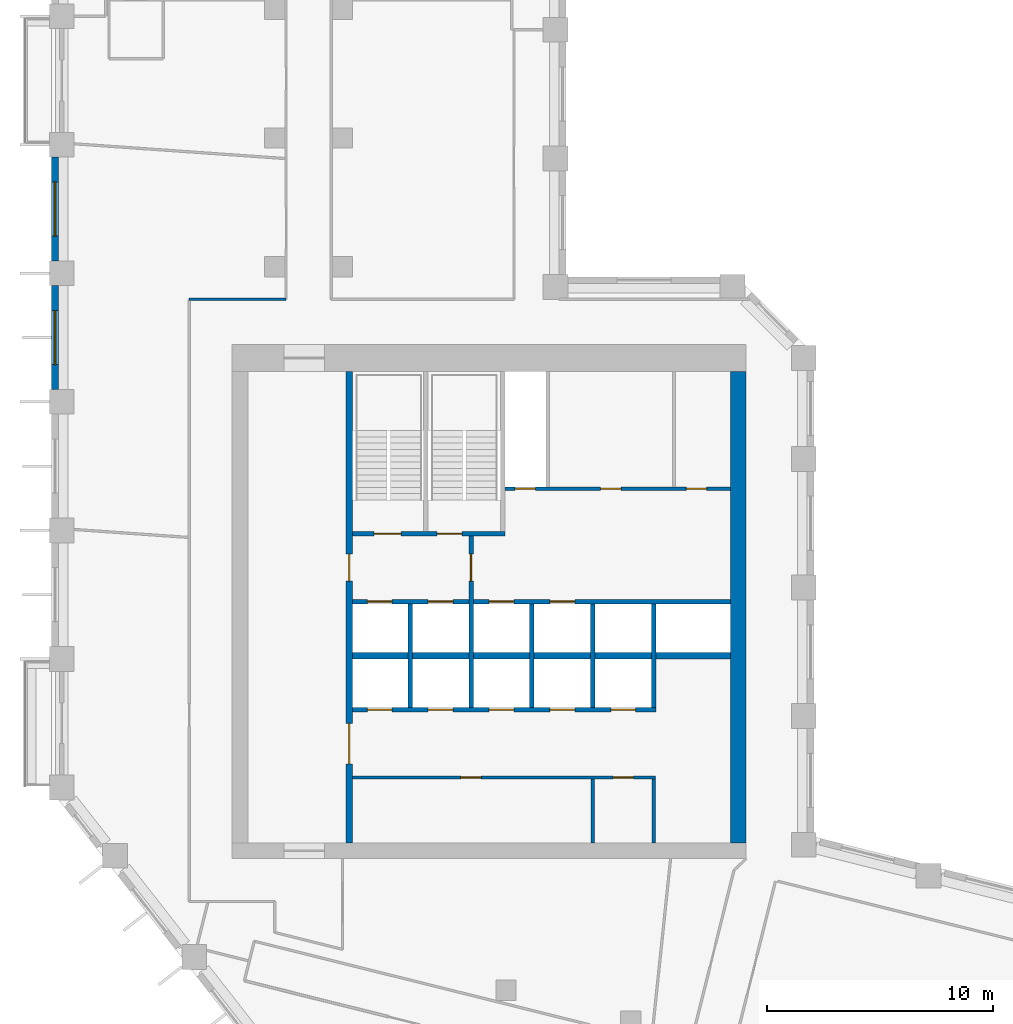
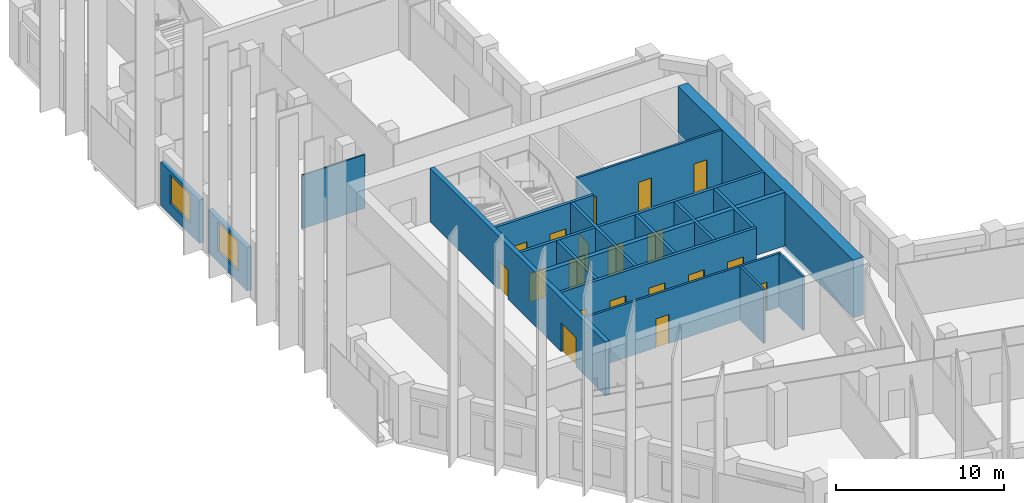
# One storey, part 5 of 10: 19 doors, 18 walls, 2 windows, 21 openings.
"""IFC4 building model written with IfcOpenShell, lengths in metres."""

from ifc_helpers import new_model, si_unit, direction, frame, frame_2d, origin, place, context, subcontext, project, spatial, rectangle, extrude, material, layer, layer_set, type_object, element, fill, save


model = new_model("IFC4")

# Units and contexts
model_context = context("Model", 3, precision=1e-05, world=origin(), true_north=direction((0.0, 1.0)))
body_context = subcontext(model_context, "Body", "Model", "MODEL_VIEW")
ifc_project = project(units=[si_unit("LENGTHUNIT", "METRE"), si_unit("AREAUNIT", "SQUARE_METRE"), si_unit("VOLUMEUNIT", "CUBIC_METRE"), si_unit("PLANEANGLEUNIT", "RADIAN"), si_unit("MASSUNIT", "GRAM", prefix="KILO")], contexts=[model_context])

# Site, building, storey
site_placement = place(None, origin())
site = spatial("IfcSite", under=ifc_project, at=site_placement, CompositionType="ELEMENT")
building_placement = place(site_placement, origin())
building = spatial("IfcBuilding", under=site, at=building_placement, Name="Meshkara Civic Tower", CompositionType="ELEMENT")
storey_placement = place(building_placement, frame((0.0, 0.0, 225.60009765625)))
storey = spatial("IfcBuildingStorey", under=building, at=storey_placement, Name="L51", CompositionType="ELEMENT", Elevation=225.60009765625)

# Wall, openings, doors
ifc_material_1 = material(Name="Blockwork", Category="masonry")
ifc_layer_1 = layer(ifc_material_1, 0.14990234375)
ifc_layer_set_1 = layer_set([ifc_layer_1], Name="Core partition 150")
wall_type_1 = type_object("IfcWallType", Name="Core partition 150", PredefinedType="PARTITIONING", material=ifc_layer_set_1)
wall_1_placement = place(storey_placement, frame((13.35009765625, 17.699951171875, 0.0), z_axis=(0.0, 0.0, 1.0), x_axis=(1.0, 0.0, 0.0)))
wall_1 = element("IfcWall", 1, at=wall_1_placement, inside=storey, type_object=wall_type_1, Name="L51-C005", PredefinedType="PARTITIONING", context=body_context, shape_type="SweptSolid", body=[
    extrude(rectangle(XDim=13.4248046875, YDim=0.14990234375, at=frame_2d((6.71240234375, 0.0))), origin(), (0.0, 0.0, 1.0), 3.89990234375),
])
opening_1_placement = place(wall_1_placement, frame((4.800048828125, 0.0, 0.0)))
opening_1 = element("IfcOpeningElement", 2, at=opening_1_placement, cuts=wall_1, Name="Opening L51-K010", PredefinedType="OPENING", context=body_context, shape_type="SweptSolid", body=[
    extrude(rectangle(XDim=0.89990234375, YDim=2.10009765625, at=frame_2d((0.449951171875, 1.050048828125))), frame((0.0, 0.0849609375, 0.0), z_axis=(0.0, -1.0, 0.0), x_axis=(1.0, 0.0, 0.0)), (0.0, 0.0, 1.0), 0.169921875),
])
opening_2_placement = place(wall_1_placement, frame((11.550048828125, 0.0, 0.0)))
opening_2 = element("IfcOpeningElement", 3, at=opening_2_placement, cuts=wall_1, Name="Opening L51-K011", PredefinedType="OPENING", context=body_context, shape_type="SweptSolid", body=[
    extrude(rectangle(XDim=0.89990234375, YDim=2.10009765625, at=frame_2d((0.449951171875, 1.050048828125))), frame((0.0, 0.0849609375, 0.0), z_axis=(0.0, -1.0, 0.0), x_axis=(1.0, 0.0, 0.0)), (0.0, 0.0, 1.0), 0.169921875),
])
ifc_material_2 = material(Name="Timber door leaf in steel frame", Category="steel")
door_type_1 = type_object("IfcDoorType", Name="Core room door 900", OperationType="SINGLE_SWING_LEFT", PredefinedType="DOOR", material=ifc_material_2)
door_1_placement = place(opening_1_placement, origin())
door_1 = element("IfcDoor", 4, at=door_1_placement, inside=storey, type_object=door_type_1, Name="L51-K010", OperationType="SINGLE_SWING_LEFT", OverallHeight=2.10009765625, OverallWidth=0.89990234375, PredefinedType="DOOR", context=body_context, shape_type="SweptSolid", body=[
    extrude(rectangle(XDim=0.89990234375, YDim=2.10009765625, at=frame_2d((0.449951171875, 1.050048828125))), frame((0.0, 0.02490234375, 0.0), z_axis=(0.0, -1.0, 0.0), x_axis=(1.0, 0.0, 0.0)), (0.0, 0.0, 1.0), 0.050048828125),
])
fill(opening_1, door_1)
door_2_placement = place(opening_2_placement, origin())
door_2 = element("IfcDoor", 5, at=door_2_placement, inside=storey, type_object=door_type_1, Name="L51-K011", OperationType="SINGLE_SWING_LEFT", OverallHeight=2.10009765625, OverallWidth=0.89990234375, PredefinedType="DOOR", context=body_context, shape_type="SweptSolid", body=[
    extrude(rectangle(XDim=0.89990234375, YDim=2.10009765625, at=frame_2d((0.449951171875, 1.050048828125))), frame((0.0, 0.02490234375, 0.0), z_axis=(0.0, -1.0, 0.0), x_axis=(1.0, 0.0, 0.0)), (0.0, 0.0, 1.0), 0.050048828125),
])
fill(opening_2, door_2)

wall_2_placement = place(storey_placement, frame((20.10009765625, 30.5, 0.0), z_axis=(0.0, 0.0, 1.0), x_axis=(1.0, 0.0, 0.0)))
wall_2 = element("IfcWall", 6, at=wall_2_placement, inside=storey, type_object=wall_type_1, Name="L51-C010", PredefinedType="PARTITIONING", context=body_context, shape_type="SweptSolid", body=[
    extrude(rectangle(XDim=10.0, YDim=0.14990234375, at=frame_2d((5.0, 0.0))), origin(), (0.0, 0.0, 1.0), 3.89990234375),
])
opening_3_placement = place(wall_2_placement, frame((0.449951171875, 0.0, 0.0)))
opening_3 = element("IfcOpeningElement", 7, at=opening_3_placement, cuts=wall_2, Name="Opening L51-K012", PredefinedType="OPENING", context=body_context, shape_type="SweptSolid", body=[
    extrude(rectangle(XDim=0.89990234375, YDim=2.10009765625, at=frame_2d((0.449951171875, 1.050048828125))), frame((0.0, 0.0849609375, 0.0), z_axis=(0.0, -1.0, 0.0), x_axis=(1.0, 0.0, 0.0)), (0.0, 0.0, 1.0), 0.169921875),
])
opening_4_placement = place(wall_2_placement, frame((4.25, 0.0, 0.0)))
opening_4 = element("IfcOpeningElement", 8, at=opening_4_placement, cuts=wall_2, Name="Opening L51-K013", PredefinedType="OPENING", context=body_context, shape_type="SweptSolid", body=[
    extrude(rectangle(XDim=0.89990234375, YDim=2.10009765625, at=frame_2d((0.449951171875, 1.050048828125))), frame((0.0, 0.0849609375, 0.0), z_axis=(0.0, -1.0, 0.0), x_axis=(1.0, 0.0, 0.0)), (0.0, 0.0, 1.0), 0.169921875),
])
opening_5_placement = place(wall_2_placement, frame((8.050048828125, 0.0, 0.0)))
opening_5 = element("IfcOpeningElement", 9, at=opening_5_placement, cuts=wall_2, Name="Opening L51-K014", PredefinedType="OPENING", context=body_context, shape_type="SweptSolid", body=[
    extrude(rectangle(XDim=0.89990234375, YDim=2.10009765625, at=frame_2d((0.449951171875, 1.050048828125))), frame((0.0, 0.0849609375, 0.0), z_axis=(0.0, -1.0, 0.0), x_axis=(1.0, 0.0, 0.0)), (0.0, 0.0, 1.0), 0.169921875),
])
door_3_placement = place(opening_4_placement, origin())
door_3 = element("IfcDoor", 10, at=door_3_placement, inside=storey, type_object=door_type_1, Name="L51-K013", OperationType="SINGLE_SWING_RIGHT", OverallHeight=2.10009765625, OverallWidth=0.89990234375, PredefinedType="DOOR", context=body_context, shape_type="SweptSolid", body=[
    extrude(rectangle(XDim=0.89990234375, YDim=2.10009765625, at=frame_2d((0.449951171875, 1.050048828125))), frame((0.0, 0.02490234375, 0.0), z_axis=(0.0, -1.0, 0.0), x_axis=(1.0, 0.0, 0.0)), (0.0, 0.0, 1.0), 0.050048828125),
])
fill(opening_4, door_3)
door_4_placement = place(opening_5_placement, origin())
door_4 = element("IfcDoor", 11, at=door_4_placement, inside=storey, type_object=door_type_1, Name="L51-K014", OperationType="SINGLE_SWING_RIGHT", OverallHeight=2.10009765625, OverallWidth=0.89990234375, PredefinedType="DOOR", context=body_context, shape_type="SweptSolid", body=[
    extrude(rectangle(XDim=0.89990234375, YDim=2.10009765625, at=frame_2d((0.449951171875, 1.050048828125))), frame((0.0, 0.02490234375, 0.0), z_axis=(0.0, -1.0, 0.0), x_axis=(1.0, 0.0, 0.0)), (0.0, 0.0, 1.0), 0.050048828125),
])
fill(opening_5, door_4)
ifc_material_3 = material(Name="Fire-rated door leaf in steel frame", Category="steel")
door_type_2 = type_object("IfcDoorType", Name="Riser door 900", OperationType="SINGLE_SWING_LEFT", PredefinedType="DOOR", material=ifc_material_3)
door_5_placement = place(opening_3_placement, origin())
door_5 = element("IfcDoor", 12, at=door_5_placement, inside=storey, type_object=door_type_2, Name="L51-K012", OperationType="SINGLE_SWING_RIGHT", OverallHeight=2.10009765625, OverallWidth=0.89990234375, PredefinedType="DOOR", context=body_context, shape_type="SweptSolid", body=[
    extrude(rectangle(XDim=0.89990234375, YDim=2.10009765625, at=frame_2d((0.449951171875, 1.050048828125))), frame((0.0, 0.02490234375, 0.0), z_axis=(0.0, -1.0, 0.0), x_axis=(1.0, 0.0, 0.0)), (0.0, 0.0, 1.0), 0.050048828125),
])
fill(opening_3, door_5)

# Walls
for number, where, z_axis, x_axis, name in (
    (13, (24.0, 14.800048828125, 0.0), (0.0, 0.0, 1.0), (0.0, 1.0, 0.0), "L51-C018"),
    (14, (26.699951171875, 14.800048828125, 0.0), (0.0, 0.0, 1.0), (0.0, 1.0, 0.0), "L51-C020"),
):
    element("IfcWall", number, at=place(storey_placement, frame(where, z_axis=z_axis, x_axis=x_axis)), inside=storey, type_object=wall_type_1, Name=name, PredefinedType="PARTITIONING", context=body_context, shape_type="SweptSolid", body=[
        extrude(rectangle(XDim=2.824951171875, YDim=0.14990234375, at=frame_2d((1.41259765625, 0.0))), origin(), (0.0, 0.0, 1.0), 3.89990234375),
    ])
ifc_material_4 = material(Name="Concrete C60", Category="concrete")
ifc_layer_2 = layer(ifc_material_4, 0.699951171875)
ifc_layer_set_2 = layer_set([ifc_layer_2], Name="Core ring wall 700 C60")
wall_type_2 = type_object("IfcWallType", Name="Core ring wall 700 C60", PredefinedType="SHEAR", material=ifc_layer_set_2)
wall_3_placement = place(storey_placement, frame((30.449951171875, 14.800048828125, -0.300048828125), z_axis=(0.0, 0.0, 1.0), x_axis=(0.0, 1.0, 0.0)))
element("IfcWall", 15, at=wall_3_placement, inside=storey, type_object=wall_type_2, Name="L51-C004", PredefinedType="SHEAR", context=body_context, shape_type="SweptSolid", body=[
    extrude(rectangle(XDim=20.89990234375, YDim=0.699951171875, at=frame_2d((10.449951171875, 0.0))), origin(), (0.0, 0.0, 1.0), 4.199951171875),
])
ifc_material_5 = material(Name="Concrete C60", Category="concrete")
ifc_layer_3 = layer(ifc_material_5, 0.300048828125)
ifc_layer_set_3 = layer_set([ifc_layer_3], Name="Core shear wall 300 C60")
wall_type_3 = type_object("IfcWallType", Name="Core shear wall 300 C60", PredefinedType="SHEAR", material=ifc_layer_set_3)
wall_4_placement = place(storey_placement, frame((13.35009765625, 23.10009765625, 0.0), z_axis=(0.0, 0.0, 1.0), x_axis=(1.0, 0.0, 0.0)))
element("IfcWall", 16, at=wall_4_placement, inside=storey, type_object=wall_type_3, Name="L51-C007", PredefinedType="SHEAR", context=body_context, shape_type="SweptSolid", body=[
    extrude(rectangle(XDim=16.75, YDim=0.300048828125, at=frame_2d((8.375, 0.0))), origin(), (0.0, 0.0, 1.0), 3.89990234375),
])

# Wall, openings, doors
wall_5_placement = place(storey_placement, frame((13.199951171875, 14.800048828125, 0.0), z_axis=(0.0, 0.0, 1.0), x_axis=(0.0, 1.0, 0.0)))
wall_5 = element("IfcWall", 17, at=wall_5_placement, inside=storey, type_object=wall_type_3, Name="L51-C011", PredefinedType="SHEAR", context=body_context, shape_type="SweptSolid", body=[
    extrude(rectangle(XDim=20.89990234375, YDim=0.300048828125, at=frame_2d((10.449951171875, 0.0))), origin(), (0.0, 0.0, 1.0), 3.89990234375),
])
opening_6_placement = place(wall_5_placement, frame((3.5, 0.0, 0.0)))
opening_6 = element("IfcOpeningElement", 18, at=opening_6_placement, cuts=wall_5, Name="Opening L51-K017", PredefinedType="OPENING", context=body_context, shape_type="SweptSolid", body=[
    extrude(rectangle(XDim=1.800048828125, YDim=2.10009765625, at=frame_2d((0.89990234375, 1.050048828125))), frame((0.0, 0.159912109375, 0.0), z_axis=(0.0, -1.0, 0.0), x_axis=(1.0, 0.0, 0.0)), (0.0, 0.0, 1.0), 0.320068359375),
])
opening_7_placement = place(wall_5_placement, frame((11.60009765625, 0.0, 0.0)))
opening_7 = element("IfcOpeningElement", 19, at=opening_7_placement, cuts=wall_5, Name="Opening L51-K018", PredefinedType="OPENING", context=body_context, shape_type="SweptSolid", body=[
    extrude(rectangle(XDim=1.199951171875, YDim=2.10009765625, at=frame_2d((0.60009765625, 1.050048828125))), frame((0.0, 0.159912109375, 0.0), z_axis=(0.0, -1.0, 0.0), x_axis=(1.0, 0.0, 0.0)), (0.0, 0.0, 1.0), 0.320068359375),
])
ifc_material_6 = material(Name="Fire-rated door leaf in steel frame", Category="steel")
door_type_3 = type_object("IfcDoorType", Name="Core double door 1800 EI 60", OperationType="DOUBLE_DOOR_SINGLE_SWING", PredefinedType="DOOR", material=ifc_material_6)
door_6_placement = place(opening_6_placement, origin())
door_6 = element("IfcDoor", 20, at=door_6_placement, inside=storey, type_object=door_type_3, Name="L51-K017", OperationType="DOUBLE_DOOR_SINGLE_SWING", OverallHeight=2.10009765625, OverallWidth=1.800048828125, PredefinedType="DOOR", context=body_context, shape_type="SweptSolid", body=[
    extrude(rectangle(XDim=1.800048828125, YDim=2.10009765625, at=frame_2d((0.89990234375, 1.050048828125))), frame((0.0, 0.02490234375, 0.0), z_axis=(0.0, -1.0, 0.0), x_axis=(1.0, 0.0, 0.0)), (0.0, 0.0, 1.0), 0.050048828125),
])
fill(opening_6, door_6)
ifc_material_7 = material(Name="Fire-rated door leaf in steel frame", Category="steel")
door_type_4 = type_object("IfcDoorType", Name="Fire-fighting lobby door 1200 EI 120", OperationType="SINGLE_SWING_LEFT", PredefinedType="DOOR", material=ifc_material_7)
door_7_placement = place(opening_7_placement, origin())
door_7 = element("IfcDoor", 21, at=door_7_placement, inside=storey, type_object=door_type_4, Name="L51-K018", OperationType="SINGLE_SWING_LEFT", OverallHeight=2.10009765625, OverallWidth=1.199951171875, PredefinedType="DOOR", context=body_context, shape_type="SweptSolid", body=[
    extrude(rectangle(XDim=1.199951171875, YDim=2.10009765625, at=frame_2d((0.60009765625, 1.050048828125))), frame((0.0, 0.02490234375, 0.0), z_axis=(0.0, -1.0, 0.0), x_axis=(1.0, 0.0, 0.0)), (0.0, 0.0, 1.0), 0.050048828125),
])
fill(opening_7, door_7)

# Wall
ifc_material_8 = material(Name="Corridor wall 100")
ifc_layer_4 = layer(ifc_material_8, 0.10009765625)
ifc_layer_set_4 = layer_set([ifc_layer_4], Name="Corridor wall 100")
wall_type_4 = type_object("IfcWallType", Name="Corridor wall 100", PredefinedType="PARTITIONING", material=ifc_layer_set_4)
wall_6_placement = place(storey_placement, frame((10.39990234375, 38.89990234375, 0.0), z_axis=(0.0, 0.0, 1.0), x_axis=(-1.0, 0.0, 0.0)))
element("IfcWall", 22, at=wall_6_placement, inside=storey, type_object=wall_type_4, Name="L51-W011", PredefinedType="PARTITIONING", context=body_context, shape_type="SweptSolid", body=[
    extrude(rectangle(XDim=4.2998046875, YDim=0.10009765625, at=frame_2d((2.14990234375, 0.0))), origin(), (0.0, 0.0, 1.0), 3.89990234375),
])

# Wall, opening, window
ifc_material_9 = material(Name="Insulated infill panel with bronze anodised aluminium cladding", Category="aluminium")
ifc_layer_5 = layer(ifc_material_9, 0.300048828125)
ifc_layer_set_5 = layer_set([ifc_layer_5], Name="EXTERNAL INFILL WALL 300")
wall_type_5 = type_object("IfcWallType", Name="EXTERNAL INFILL WALL 300", PredefinedType="SOLIDWALL", material=ifc_layer_set_5)
wall_7_placement = place(storey_placement, frame((0.14990234375, 45.205078125, 0.0), z_axis=(0.0, 0.0, 1.0), x_axis=(0.0, -1.0, 0.0)))
wall_7 = element("IfcWall", 23, at=wall_7_placement, inside=storey, type_object=wall_type_5, Name="External wall", PredefinedType="SOLIDWALL", context=body_context, shape_type="SweptSolid", body=[
    extrude(rectangle(XDim=4.60009765625, YDim=0.300048828125, at=frame_2d((2.300048828125, 0.0))), origin(), (0.0, 0.0, 1.0), 3.14990234375),
])
opening_8_placement = place(wall_7_placement, frame((1.10009765625, 0.0, 0.800048828125)))
opening_8 = element("IfcOpeningElement", 24, at=opening_8_placement, cuts=wall_7, Name="Opening W7", PredefinedType="OPENING", context=body_context, shape_type="SweptSolid", body=[
    extrude(rectangle(XDim=2.39990234375, YDim=2.10009765625, at=frame_2d((1.199951171875, 1.050048828125))), frame((0.0, 0.159912109375, 0.0), z_axis=(0.0, -1.0, 0.0), x_axis=(1.0, 0.0, 0.0)), (0.0, 0.0, 1.0), 0.320068359375),
])
ifc_material_10 = material(Name="Tinted double glazing", Category="glass")
window_type = type_object("IfcWindowType", Name="WINDOW 2400x2100", PartitioningType="DOUBLE_PANEL_VERTICAL", PredefinedType="WINDOW", material=ifc_material_10)
window_1_placement = place(opening_8_placement, origin())
window_1 = element("IfcWindow", 25, at=window_1_placement, inside=storey, type_object=window_type, Name="Window", OverallHeight=2.10009765625, OverallWidth=2.39990234375, PartitioningType="DOUBLE_PANEL_VERTICAL", PredefinedType="WINDOW", context=body_context, shape_type="SweptSolid", body=[
    extrude(rectangle(XDim=2.39990234375, YDim=2.10009765625, at=frame_2d((1.199951171875, 1.050048828125))), frame((0.0, 0.030029296875, 0.0), z_axis=(0.0, -1.0, 0.0), x_axis=(1.0, 0.0, 0.0)), (0.0, 0.0, 1.0), 0.06005859375),
])
fill(opening_8, window_1)

wall_8_placement = place(storey_placement, frame((0.14990234375, 39.5048828125, 0.0), z_axis=(0.0, 0.0, 1.0), x_axis=(0.0, -1.0, 0.0)))
wall_8 = element("IfcWall", 26, at=wall_8_placement, inside=storey, type_object=wall_type_5, Name="External wall", PredefinedType="SOLIDWALL", context=body_context, shape_type="SweptSolid", body=[
    extrude(rectangle(XDim=4.599853515625, YDim=0.300048828125, at=frame_2d((2.2998046875, 0.0))), origin(), (0.0, 0.0, 1.0), 3.14990234375),
])
opening_9_placement = place(wall_8_placement, frame((1.10009765625, 0.0, 0.800048828125)))
opening_9 = element("IfcOpeningElement", 27, at=opening_9_placement, cuts=wall_8, Name="Opening W7", PredefinedType="OPENING", context=body_context, shape_type="SweptSolid", body=[
    extrude(rectangle(XDim=2.39990234375, YDim=2.10009765625, at=frame_2d((1.199951171875, 1.050048828125))), frame((0.0, 0.159912109375, 0.0), z_axis=(0.0, -1.0, 0.0), x_axis=(1.0, 0.0, 0.0)), (0.0, 0.0, 1.0), 0.320068359375),
])
window_2_placement = place(opening_9_placement, origin())
window_2 = element("IfcWindow", 28, at=window_2_placement, inside=storey, type_object=window_type, Name="Window", OverallHeight=2.10009765625, OverallWidth=2.39990234375, PartitioningType="DOUBLE_PANEL_VERTICAL", PredefinedType="WINDOW", context=body_context, shape_type="SweptSolid", body=[
    extrude(rectangle(XDim=2.39990234375, YDim=2.10009765625, at=frame_2d((1.199951171875, 1.050048828125))), frame((0.0, 0.030029296875, 0.0), z_axis=(0.0, -1.0, 0.0), x_axis=(1.0, 0.0, 0.0)), (0.0, 0.0, 1.0), 0.06005859375),
])
fill(opening_9, window_2)

# Wall, openings, doors
ifc_material_11 = material(Name="Concrete C40/50", Category="concrete")
ifc_layer_6 = layer(ifc_material_11, 0.199951171875)
ifc_layer_set_6 = layer_set([ifc_layer_6], Name="Shaft wall 200 C40/50")
wall_type_6 = type_object("IfcWallType", Name="Shaft wall 200 C40/50", PredefinedType="SOLIDWALL", material=ifc_layer_set_6)
wall_9_placement = place(storey_placement, frame((13.35009765625, 20.699951171875, 0.0), z_axis=(0.0, 0.0, 1.0), x_axis=(1.0, 0.0, 0.0)))
wall_9 = element("IfcWall", 29, at=wall_9_placement, inside=storey, type_object=wall_type_6, Name="L51-C006", PredefinedType="SOLIDWALL", context=body_context, shape_type="SweptSolid", body=[
    extrude(rectangle(XDim=13.449951171875, YDim=0.199951171875, at=frame_2d((6.72509765625, 0.0))), origin(), (0.0, 0.0, 1.0), 3.89990234375),
])
opening_10_placement = place(wall_9_placement, frame((0.64990234375, 0.0, 0.0)))
opening_10 = element("IfcOpeningElement", 30, at=opening_10_placement, cuts=wall_9, Name="Opening L51-K001", PredefinedType="OPENING", context=body_context, shape_type="SweptSolid", body=[
    extrude(rectangle(XDim=1.10009765625, YDim=2.10009765625, at=frame_2d((0.550048828125, 1.050048828125))), frame((0.0, 0.10986328125, 0.0), z_axis=(0.0, -1.0, 0.0), x_axis=(1.0, 0.0, 0.0)), (0.0, 0.0, 1.0), 0.219970703125),
])
opening_11_placement = place(wall_9_placement, frame((3.35009765625, 0.0, 0.0)))
opening_11 = element("IfcOpeningElement", 31, at=opening_11_placement, cuts=wall_9, Name="Opening L51-K002", PredefinedType="OPENING", context=body_context, shape_type="SweptSolid", body=[
    extrude(rectangle(XDim=1.10009765625, YDim=2.10009765625, at=frame_2d((0.550048828125, 1.050048828125))), frame((0.0, 0.10986328125, 0.0), z_axis=(0.0, -1.0, 0.0), x_axis=(1.0, 0.0, 0.0)), (0.0, 0.0, 1.0), 0.219970703125),
])
opening_12_placement = place(wall_9_placement, frame((6.050048828125, 0.0, 0.0)))
opening_12 = element("IfcOpeningElement", 32, at=opening_12_placement, cuts=wall_9, Name="Opening L51-K003", PredefinedType="OPENING", context=body_context, shape_type="SweptSolid", body=[
    extrude(rectangle(XDim=1.10009765625, YDim=2.10009765625, at=frame_2d((0.550048828125, 1.050048828125))), frame((0.0, 0.10986328125, 0.0), z_axis=(0.0, -1.0, 0.0), x_axis=(1.0, 0.0, 0.0)), (0.0, 0.0, 1.0), 0.219970703125),
])
opening_13_placement = place(wall_9_placement, frame((8.75, 0.0, 0.0)))
opening_13 = element("IfcOpeningElement", 33, at=opening_13_placement, cuts=wall_9, Name="Opening L51-K004", PredefinedType="OPENING", context=body_context, shape_type="SweptSolid", body=[
    extrude(rectangle(XDim=1.10009765625, YDim=2.10009765625, at=frame_2d((0.550048828125, 1.050048828125))), frame((0.0, 0.10986328125, 0.0), z_axis=(0.0, -1.0, 0.0), x_axis=(1.0, 0.0, 0.0)), (0.0, 0.0, 1.0), 0.219970703125),
])
opening_14_placement = place(wall_9_placement, frame((11.449951171875, 0.0, 0.0)))
opening_14 = element("IfcOpeningElement", 34, at=opening_14_placement, cuts=wall_9, Name="Opening L51-K005", PredefinedType="OPENING", context=body_context, shape_type="SweptSolid", body=[
    extrude(rectangle(XDim=1.10009765625, YDim=2.10009765625, at=frame_2d((0.550048828125, 1.050048828125))), frame((0.0, 0.10986328125, 0.0), z_axis=(0.0, -1.0, 0.0), x_axis=(1.0, 0.0, 0.0)), (0.0, 0.0, 1.0), 0.219970703125),
])
ifc_material_12 = material(Name="Stainless steel landing door", Category="steel")
door_type_5 = type_object("IfcDoorType", Name="Lift landing door 1100", OperationType="SLIDING_TO_LEFT", PredefinedType="DOOR", material=ifc_material_12)
door_8_placement = place(opening_10_placement, origin())
door_8 = element("IfcDoor", 35, at=door_8_placement, inside=storey, type_object=door_type_5, Name="L51-K001", OperationType="SLIDING_TO_LEFT", OverallHeight=2.10009765625, OverallWidth=1.10009765625, PredefinedType="DOOR", context=body_context, shape_type="SweptSolid", body=[
    extrude(rectangle(XDim=1.10009765625, YDim=2.10009765625, at=frame_2d((0.550048828125, 1.050048828125))), frame((0.0, 0.02490234375, 0.0), z_axis=(0.0, -1.0, 0.0), x_axis=(1.0, 0.0, 0.0)), (0.0, 0.0, 1.0), 0.050048828125),
])
fill(opening_10, door_8)
door_9_placement = place(opening_11_placement, origin())
door_9 = element("IfcDoor", 36, at=door_9_placement, inside=storey, type_object=door_type_5, Name="L51-K002", OperationType="SLIDING_TO_LEFT", OverallHeight=2.10009765625, OverallWidth=1.10009765625, PredefinedType="DOOR", context=body_context, shape_type="SweptSolid", body=[
    extrude(rectangle(XDim=1.10009765625, YDim=2.10009765625, at=frame_2d((0.550048828125, 1.050048828125))), frame((0.0, 0.02490234375, 0.0), z_axis=(0.0, -1.0, 0.0), x_axis=(1.0, 0.0, 0.0)), (0.0, 0.0, 1.0), 0.050048828125),
])
fill(opening_11, door_9)
door_10_placement = place(opening_12_placement, origin())
door_10 = element("IfcDoor", 37, at=door_10_placement, inside=storey, type_object=door_type_5, Name="L51-K003", OperationType="SLIDING_TO_LEFT", OverallHeight=2.10009765625, OverallWidth=1.10009765625, PredefinedType="DOOR", context=body_context, shape_type="SweptSolid", body=[
    extrude(rectangle(XDim=1.10009765625, YDim=2.10009765625, at=frame_2d((0.550048828125, 1.050048828125))), frame((0.0, 0.02490234375, 0.0), z_axis=(0.0, -1.0, 0.0), x_axis=(1.0, 0.0, 0.0)), (0.0, 0.0, 1.0), 0.050048828125),
])
fill(opening_12, door_10)
door_11_placement = place(opening_13_placement, origin())
door_11 = element("IfcDoor", 38, at=door_11_placement, inside=storey, type_object=door_type_5, Name="L51-K004", OperationType="SLIDING_TO_LEFT", OverallHeight=2.10009765625, OverallWidth=1.10009765625, PredefinedType="DOOR", context=body_context, shape_type="SweptSolid", body=[
    extrude(rectangle(XDim=1.10009765625, YDim=2.10009765625, at=frame_2d((0.550048828125, 1.050048828125))), frame((0.0, 0.02490234375, 0.0), z_axis=(0.0, -1.0, 0.0), x_axis=(1.0, 0.0, 0.0)), (0.0, 0.0, 1.0), 0.050048828125),
])
fill(opening_13, door_11)
door_12_placement = place(opening_14_placement, origin())
door_12 = element("IfcDoor", 39, at=door_12_placement, inside=storey, type_object=door_type_5, Name="L51-K005", OperationType="SLIDING_TO_LEFT", OverallHeight=2.10009765625, OverallWidth=1.10009765625, PredefinedType="DOOR", context=body_context, shape_type="SweptSolid", body=[
    extrude(rectangle(XDim=1.10009765625, YDim=2.10009765625, at=frame_2d((0.550048828125, 1.050048828125))), frame((0.0, 0.02490234375, 0.0), z_axis=(0.0, -1.0, 0.0), x_axis=(1.0, 0.0, 0.0)), (0.0, 0.0, 1.0), 0.050048828125),
])
fill(opening_14, door_12)

wall_10_placement = place(storey_placement, frame((13.35009765625, 25.5, 0.0), z_axis=(0.0, 0.0, 1.0), x_axis=(1.0, 0.0, 0.0)))
wall_10 = element("IfcWall", 40, at=wall_10_placement, inside=storey, type_object=wall_type_6, Name="L51-C008", PredefinedType="SOLIDWALL", context=body_context, shape_type="SweptSolid", body=[
    extrude(rectangle(XDim=16.75, YDim=0.199951171875, at=frame_2d((8.375, 0.0))), origin(), (0.0, 0.0, 1.0), 3.89990234375),
])
opening_15_placement = place(wall_10_placement, frame((0.64990234375, 0.0, 0.0)))
opening_15 = element("IfcOpeningElement", 41, at=opening_15_placement, cuts=wall_10, Name="Opening L51-K006", PredefinedType="OPENING", context=body_context, shape_type="SweptSolid", body=[
    extrude(rectangle(XDim=1.10009765625, YDim=2.10009765625, at=frame_2d((0.550048828125, 1.050048828125))), frame((0.0, 0.10986328125, 0.0), z_axis=(0.0, -1.0, 0.0), x_axis=(1.0, 0.0, 0.0)), (0.0, 0.0, 1.0), 0.219970703125),
])
opening_16_placement = place(wall_10_placement, frame((3.35009765625, 0.0, 0.0)))
opening_16 = element("IfcOpeningElement", 42, at=opening_16_placement, cuts=wall_10, Name="Opening L51-K007", PredefinedType="OPENING", context=body_context, shape_type="SweptSolid", body=[
    extrude(rectangle(XDim=1.10009765625, YDim=2.10009765625, at=frame_2d((0.550048828125, 1.050048828125))), frame((0.0, 0.10986328125, 0.0), z_axis=(0.0, -1.0, 0.0), x_axis=(1.0, 0.0, 0.0)), (0.0, 0.0, 1.0), 0.219970703125),
])
opening_17_placement = place(wall_10_placement, frame((6.050048828125, 0.0, 0.0)))
opening_17 = element("IfcOpeningElement", 43, at=opening_17_placement, cuts=wall_10, Name="Opening L51-K008", PredefinedType="OPENING", context=body_context, shape_type="SweptSolid", body=[
    extrude(rectangle(XDim=1.10009765625, YDim=2.10009765625, at=frame_2d((0.550048828125, 1.050048828125))), frame((0.0, 0.10986328125, 0.0), z_axis=(0.0, -1.0, 0.0), x_axis=(1.0, 0.0, 0.0)), (0.0, 0.0, 1.0), 0.219970703125),
])
opening_18_placement = place(wall_10_placement, frame((8.75, 0.0, 0.0)))
opening_18 = element("IfcOpeningElement", 44, at=opening_18_placement, cuts=wall_10, Name="Opening L51-K009", PredefinedType="OPENING", context=body_context, shape_type="SweptSolid", body=[
    extrude(rectangle(XDim=1.10009765625, YDim=2.10009765625, at=frame_2d((0.550048828125, 1.050048828125))), frame((0.0, 0.10986328125, 0.0), z_axis=(0.0, -1.0, 0.0), x_axis=(1.0, 0.0, 0.0)), (0.0, 0.0, 1.0), 0.219970703125),
])
door_13_placement = place(opening_15_placement, origin())
door_13 = element("IfcDoor", 45, at=door_13_placement, inside=storey, type_object=door_type_5, Name="L51-K006", OperationType="SLIDING_TO_LEFT", OverallHeight=2.10009765625, OverallWidth=1.10009765625, PredefinedType="DOOR", context=body_context, shape_type="SweptSolid", body=[
    extrude(rectangle(XDim=1.10009765625, YDim=2.10009765625, at=frame_2d((0.550048828125, 1.050048828125))), frame((0.0, 0.02490234375, 0.0), z_axis=(0.0, -1.0, 0.0), x_axis=(1.0, 0.0, 0.0)), (0.0, 0.0, 1.0), 0.050048828125),
])
fill(opening_15, door_13)
door_14_placement = place(opening_16_placement, origin())
door_14 = element("IfcDoor", 46, at=door_14_placement, inside=storey, type_object=door_type_5, Name="L51-K007", OperationType="SLIDING_TO_LEFT", OverallHeight=2.10009765625, OverallWidth=1.10009765625, PredefinedType="DOOR", context=body_context, shape_type="SweptSolid", body=[
    extrude(rectangle(XDim=1.10009765625, YDim=2.10009765625, at=frame_2d((0.550048828125, 1.050048828125))), frame((0.0, 0.02490234375, 0.0), z_axis=(0.0, -1.0, 0.0), x_axis=(1.0, 0.0, 0.0)), (0.0, 0.0, 1.0), 0.050048828125),
])
fill(opening_16, door_14)
door_15_placement = place(opening_17_placement, origin())
door_15 = element("IfcDoor", 47, at=door_15_placement, inside=storey, type_object=door_type_5, Name="L51-K008", OperationType="SLIDING_TO_LEFT", OverallHeight=2.10009765625, OverallWidth=1.10009765625, PredefinedType="DOOR", context=body_context, shape_type="SweptSolid", body=[
    extrude(rectangle(XDim=1.10009765625, YDim=2.10009765625, at=frame_2d((0.550048828125, 1.050048828125))), frame((0.0, 0.02490234375, 0.0), z_axis=(0.0, -1.0, 0.0), x_axis=(1.0, 0.0, 0.0)), (0.0, 0.0, 1.0), 0.050048828125),
])
fill(opening_17, door_15)
door_16_placement = place(opening_18_placement, origin())
door_16 = element("IfcDoor", 48, at=door_16_placement, inside=storey, type_object=door_type_5, Name="L51-K009", OperationType="SLIDING_TO_LEFT", OverallHeight=2.10009765625, OverallWidth=1.10009765625, PredefinedType="DOOR", context=body_context, shape_type="SweptSolid", body=[
    extrude(rectangle(XDim=1.10009765625, YDim=2.10009765625, at=frame_2d((0.550048828125, 1.050048828125))), frame((0.0, 0.02490234375, 0.0), z_axis=(0.0, -1.0, 0.0), x_axis=(1.0, 0.0, 0.0)), (0.0, 0.0, 1.0), 0.050048828125),
])
fill(opening_18, door_16)

# Wall
wall_11_placement = place(storey_placement, frame((15.89990234375, 20.800048828125, 0.0), z_axis=(0.0, 0.0, 1.0), x_axis=(0.0, 1.0, 0.0)))
element("IfcWall", 49, at=wall_11_placement, inside=storey, type_object=wall_type_6, Name="L51-C012", PredefinedType="SOLIDWALL", context=body_context, shape_type="SweptSolid", body=[
    extrude(rectangle(XDim=4.599853515625, YDim=0.199951171875, at=frame_2d((2.2998046875, 0.0))), origin(), (0.0, 0.0, 1.0), 3.89990234375),
])

# Wall, opening, door
wall_12_placement = place(storey_placement, frame((18.60009765625, 20.800048828125, 0.0), z_axis=(0.0, 0.0, 1.0), x_axis=(0.0, 1.0, 0.0)))
wall_12 = element("IfcWall", 50, at=wall_12_placement, inside=storey, type_object=wall_type_6, Name="L51-C014", PredefinedType="SOLIDWALL", context=body_context, shape_type="SweptSolid", body=[
    extrude(rectangle(XDim=7.599853515625, YDim=0.199951171875, at=frame_2d((3.7998046875, 0.0))), origin(), (0.0, 0.0, 1.0), 3.89990234375),
])
opening_19_placement = place(wall_12_placement, frame((5.60009765625, 0.0, 0.0)))
opening_19 = element("IfcOpeningElement", 51, at=opening_19_placement, cuts=wall_12, Name="Opening L51-K019", PredefinedType="OPENING", context=body_context, shape_type="SweptSolid", body=[
    extrude(rectangle(XDim=1.199951171875, YDim=2.10009765625, at=frame_2d((0.60009765625, 1.050048828125))), frame((0.0, 0.10986328125, 0.0), z_axis=(0.0, -1.0, 0.0), x_axis=(1.0, 0.0, 0.0)), (0.0, 0.0, 1.0), 0.219970703125),
])
door_17_placement = place(opening_19_placement, origin())
door_17 = element("IfcDoor", 52, at=door_17_placement, inside=storey, type_object=door_type_4, Name="L51-K019", OperationType="SINGLE_SWING_RIGHT", OverallHeight=2.10009765625, OverallWidth=1.199951171875, PredefinedType="DOOR", context=body_context, shape_type="SweptSolid", body=[
    extrude(rectangle(XDim=1.199951171875, YDim=2.10009765625, at=frame_2d((0.60009765625, 1.050048828125))), frame((0.0, 0.02490234375, 0.0), z_axis=(0.0, -1.0, 0.0), x_axis=(1.0, 0.0, 0.0)), (0.0, 0.0, 1.0), 0.050048828125),
])
fill(opening_19, door_17)

# Walls
for number, where, z_axis, x_axis, name in (
    (53, (21.300048828125, 20.800048828125, 0.0), (0.0, 0.0, 1.0), (0.0, 1.0, 0.0), "L51-C016"),
    (54, (24.0, 20.800048828125, 0.0), (0.0, 0.0, 1.0), (0.0, 1.0, 0.0), "L51-C019"),
    (55, (26.699951171875, 20.800048828125, 0.0), (0.0, 0.0, 1.0), (0.0, 1.0, 0.0), "L51-C021"),
):
    element("IfcWall", number, at=place(storey_placement, frame(where, z_axis=z_axis, x_axis=x_axis)), inside=storey, type_object=wall_type_6, Name=name, PredefinedType="SOLIDWALL", context=body_context, shape_type="SweptSolid", body=[
        extrude(rectangle(XDim=4.599853515625, YDim=0.199951171875, at=frame_2d((2.2998046875, 0.0))), origin(), (0.0, 0.0, 1.0), 3.89990234375),
    ])

# Wall, openings, doors
ifc_material_13 = material(Name="Concrete C40/50", Category="concrete")
ifc_layer_7 = layer(ifc_material_13, 0.199951171875)
ifc_layer_set_7 = layer_set([ifc_layer_7], Name="Stair enclosure wall 200 C40/50")
wall_type_7 = type_object("IfcWallType", Name="Stair enclosure wall 200 C40/50", PredefinedType="SOLIDWALL", material=ifc_layer_set_7)
wall_13_placement = place(storey_placement, frame((13.35009765625, 28.5, 0.0), z_axis=(0.0, 0.0, 1.0), x_axis=(1.0, 0.0, 0.0)))
wall_13 = element("IfcWall", 56, at=wall_13_placement, inside=storey, type_object=wall_type_7, Name="L51-C009", PredefinedType="SOLIDWALL", context=body_context, shape_type="SweptSolid", body=[
    extrude(rectangle(XDim=6.75, YDim=0.199951171875, at=frame_2d((3.375, 0.0))), origin(), (0.0, 0.0, 1.0), 3.89990234375),
])
opening_20_placement = place(wall_13_placement, frame((0.949951171875, 0.0, 0.0)))
opening_20 = element("IfcOpeningElement", 57, at=opening_20_placement, cuts=wall_13, Name="Opening L51-K015", PredefinedType="OPENING", context=body_context, shape_type="SweptSolid", body=[
    extrude(rectangle(XDim=1.199951171875, YDim=2.10009765625, at=frame_2d((0.60009765625, 1.050048828125))), frame((0.0, 0.10986328125, 0.0), z_axis=(0.0, -1.0, 0.0), x_axis=(1.0, 0.0, 0.0)), (0.0, 0.0, 1.0), 0.219970703125),
])
opening_21_placement = place(wall_13_placement, frame((3.75, 0.0, 0.0)))
opening_21 = element("IfcOpeningElement", 58, at=opening_21_placement, cuts=wall_13, Name="Opening L51-K016", PredefinedType="OPENING", context=body_context, shape_type="SweptSolid", body=[
    extrude(rectangle(XDim=1.10009765625, YDim=2.10009765625, at=frame_2d((0.550048828125, 1.050048828125))), frame((0.0, 0.10986328125, 0.0), z_axis=(0.0, -1.0, 0.0), x_axis=(1.0, 0.0, 0.0)), (0.0, 0.0, 1.0), 0.219970703125),
])
ifc_material_14 = material(Name="Fire-rated door leaf in steel frame", Category="steel")
door_type_6 = type_object("IfcDoorType", Name="Stair door 1100 EI 120", OperationType="SINGLE_SWING_LEFT", PredefinedType="DOOR", material=ifc_material_14)
door_18_placement = place(opening_21_placement, origin())
door_18 = element("IfcDoor", 59, at=door_18_placement, inside=storey, type_object=door_type_6, Name="L51-K016", OperationType="SINGLE_SWING_LEFT", OverallHeight=2.10009765625, OverallWidth=1.10009765625, PredefinedType="DOOR", context=body_context, shape_type="SweptSolid", body=[
    extrude(rectangle(XDim=1.10009765625, YDim=2.10009765625, at=frame_2d((0.550048828125, 1.050048828125))), frame((0.0, 0.02490234375, 0.0), z_axis=(0.0, -1.0, 0.0), x_axis=(1.0, 0.0, 0.0)), (0.0, 0.0, 1.0), 0.050048828125),
])
fill(opening_21, door_18)
ifc_material_15 = material(Name="Fire-rated door leaf in steel frame", Category="steel")
door_type_7 = type_object("IfcDoorType", Name="Stair door 1200 EI 120", OperationType="SINGLE_SWING_LEFT", PredefinedType="DOOR", material=ifc_material_15)
door_19_placement = place(opening_20_placement, origin())
door_19 = element("IfcDoor", 60, at=door_19_placement, inside=storey, type_object=door_type_7, Name="L51-K015", OperationType="SINGLE_SWING_RIGHT", OverallHeight=2.10009765625, OverallWidth=1.199951171875, PredefinedType="DOOR", context=body_context, shape_type="SweptSolid", body=[
    extrude(rectangle(XDim=1.199951171875, YDim=2.10009765625, at=frame_2d((0.60009765625, 1.050048828125))), frame((0.0, 0.02490234375, 0.0), z_axis=(0.0, -1.0, 0.0), x_axis=(1.0, 0.0, 0.0)), (0.0, 0.0, 1.0), 0.050048828125),
])
fill(opening_20, door_19)

save(model, "model.ifc")
